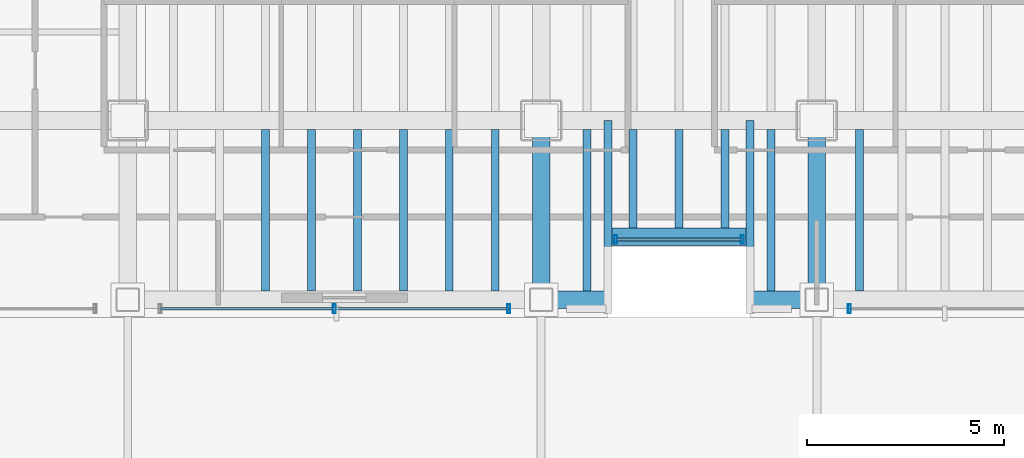
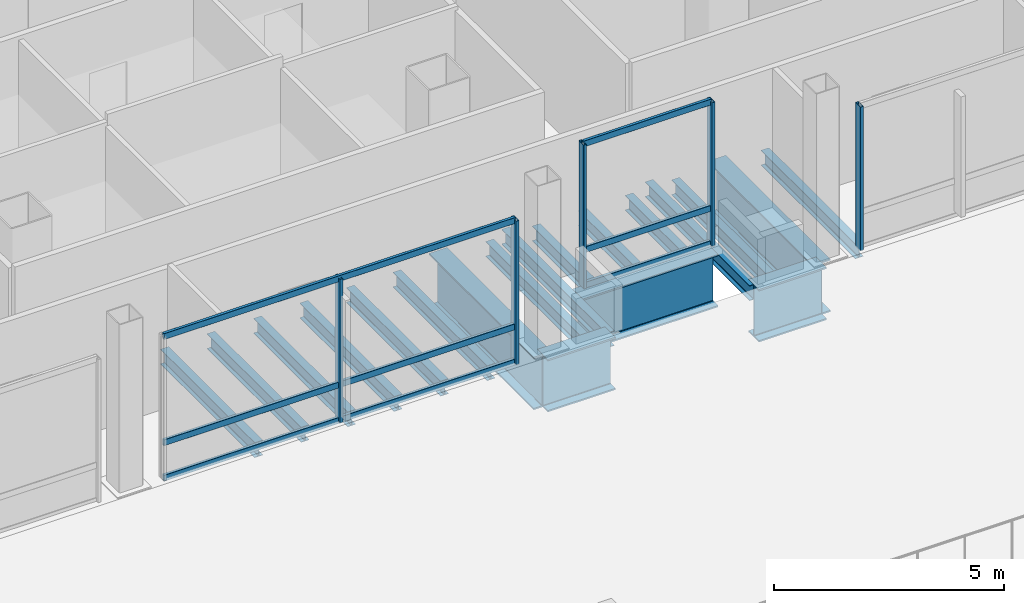
# One storey, part 7 of 34: 19 beams, 11 members, 3 elements without a shape of their own.
"""IFC4 building model written with IfcOpenShell, lengths in metres."""

from ifc_helpers import new_model, si_unit, direction, frame, origin, origin_2d, place, context, subcontext, project, spatial, hollow_rectangle, i_section, extrude, material, material_profile, profile_set, type_object, element, aggregate, save


model = new_model("IFC4")

# Units and contexts
model_context = context("Model", 3, precision=1e-05, world=origin(), true_north=direction((0.0, 1.0)))
body_context = subcontext(model_context, "Body", "Model", "MODEL_VIEW")
ifc_project = project(units=[si_unit("LENGTHUNIT", "METRE"), si_unit("AREAUNIT", "SQUARE_METRE"), si_unit("VOLUMEUNIT", "CUBIC_METRE"), si_unit("PLANEANGLEUNIT", "RADIAN"), si_unit("MASSUNIT", "GRAM", prefix="KILO")], contexts=[model_context])

# Site, building, storey
site_placement = place(None, origin())
site = spatial("IfcSite", under=ifc_project, at=site_placement, CompositionType="ELEMENT")
building_placement = place(site_placement, origin())
building = spatial("IfcBuilding", under=site, at=building_placement, Name="Noeulbin Bourse Tower", CompositionType="ELEMENT")
storey_placement = place(building_placement, frame((0.0, 0.0, 22.0)))
storey = spatial("IfcBuildingStorey", under=building, at=storey_placement, Name="L05", CompositionType="ELEMENT", Elevation=22.0)

# Beams
ifc_material_1 = material(Name="Steel S355", Category="steel")
ifc_material_profile_1 = material_profile(ifc_material_1, i_section(OverallWidth=0.199951171875, OverallDepth=0.39990234375, WebThickness=0.008056640625, FlangeThickness=0.012939453125, FilletRadius=0.01611328125, at=origin_2d()), Name="H-400x200x8x13", Category="LoadBearing")
ifc_profile_set_1 = profile_set([ifc_material_profile_1], Name="Steel S355")
beam_type_1 = type_object("IfcBeamType", Name="BM-SEC-400", PredefinedType="BEAM", material=ifc_profile_set_1)
for number, where, z_axis, x_axis, name in (
    (1, (25.699951171875, 15.449951171875, -0.43994140625), (0.0, 1.0, 0.0), (-1.0, 0.0, 0.0), "BM-L05-SRT-W"),
    (2, (29.300048828125, 15.449951171875, -0.43994140625), (0.0, 1.0, 0.0), (-1.0, 0.0, 0.0), "BM-L05-SRT-E"),
):
    element("IfcBeam", number, at=place(storey_placement, frame(where, z_axis=z_axis, x_axis=x_axis)), inside=storey, type_object=beam_type_1, Name=name, PredefinedType="BEAM", context=body_context, shape_type="SweptSolid", body=[
        extrude(i_section(OverallWidth=0.199951171875, OverallDepth=0.39990234375, WebThickness=0.008056640625, FlangeThickness=0.012939453125, FilletRadius=0.01611328125, at=origin_2d()), origin(), (0.0, 0.0, 1.0), 4.550048828125),
    ])
for number, where, z_axis, x_axis, name in (
    (3, (17.0, 15.675048828125, -0.43994140625), (0.0, 1.0, 0.0), (-1.0, 0.0, 0.0), "Tower Composite Joist L05-07"),
    (4, (18.166748046875, 15.675048828125, -0.43994140625), (0.0, 1.0, 0.0), (-1.0, 0.0, 0.0), "Tower Composite Joist L05-10"),
    (5, (19.333251953125, 15.675048828125, -0.43994140625), (0.0, 1.0, 0.0), (-1.0, 0.0, 0.0), "Tower Composite Joist L05-13"),
    (6, (20.5, 15.675048828125, -0.43994140625), (0.0, 1.0, 0.0), (-1.0, 0.0, 0.0), "Tower Composite Joist L05-16"),
    (7, (21.666748046875, 15.675048828125, -0.43994140625), (0.0, 1.0, 0.0), (-1.0, 0.0, 0.0), "Tower Composite Joist L05-19"),
    (8, (22.833251953125, 15.675048828125, -0.43994140625), (0.0, 1.0, 0.0), (-1.0, 0.0, 0.0), "Tower Composite Joist L05-22"),
    (9, (25.166748046875, 15.675048828125, -0.43994140625), (0.0, 1.0, 0.0), (-1.0, 0.0, 0.0), "Tower Composite Joist L05-25"),
):
    element("IfcBeam", number, at=place(storey_placement, frame(where, z_axis=z_axis, x_axis=x_axis)), inside=storey, type_object=beam_type_1, Name=name, PredefinedType="BEAM", context=body_context, shape_type="SweptSolid", body=[
        extrude(i_section(OverallWidth=0.199951171875, OverallDepth=0.39990234375, WebThickness=0.008056640625, FlangeThickness=0.012939453125, FilletRadius=0.01611328125, at=origin_2d()), origin(), (0.0, 0.0, 1.0), 4.099853515625),
    ])
for number, where, z_axis, x_axis, name in (
    (10, (26.333251953125, 17.27490234375, -0.43994140625), (0.0, 1.0, 0.0), (-1.0, 0.0, 0.0), "Tower Composite Joist L05-28"),
    (11, (27.5, 17.27490234375, -0.43994140625), (0.0, 1.0, 0.0), (-1.0, 0.0, 0.0), "Tower Composite Joist L05-31"),
    (12, (28.666748046875, 17.27490234375, -0.43994140625), (0.0, 1.0, 0.0), (-1.0, 0.0, 0.0), "Tower Composite Joist L05-34"),
):
    element("IfcBeam", number, at=place(storey_placement, frame(where, z_axis=z_axis, x_axis=x_axis)), inside=storey, type_object=beam_type_1, Name=name, PredefinedType="BEAM", context=body_context, shape_type="SweptSolid", body=[
        extrude(i_section(OverallWidth=0.199951171875, OverallDepth=0.39990234375, WebThickness=0.008056640625, FlangeThickness=0.012939453125, FilletRadius=0.01611328125, at=origin_2d()), origin(), (0.0, 0.0, 1.0), 2.5),
    ])
for number, where, z_axis, x_axis, name in (
    (13, (29.833251953125, 15.675048828125, -0.43994140625), (0.0, 1.0, 0.0), (-1.0, 0.0, 0.0), "Tower Composite Joist L05-37"),
    (14, (32.083251953125, 15.675048828125, -0.43994140625), (0.0, 1.0, 0.0), (-1.0, 0.0, 0.0), "Tower Composite Joist L05-40"),
):
    element("IfcBeam", number, at=place(storey_placement, frame(where, z_axis=z_axis, x_axis=x_axis)), inside=storey, type_object=beam_type_1, Name=name, PredefinedType="BEAM", context=body_context, shape_type="SweptSolid", body=[
        extrude(i_section(OverallWidth=0.199951171875, OverallDepth=0.39990234375, WebThickness=0.008056640625, FlangeThickness=0.012939453125, FilletRadius=0.01611328125, at=origin_2d()), origin(), (0.0, 0.0, 1.0), 4.099853515625),
    ])
ifc_material_2 = material(Name="Steel S460", Category="steel")
ifc_material_profile_2 = material_profile(ifc_material_2, i_section(OverallWidth=0.449951171875, OverallDepth=1.39990234375, WebThickness=0.02392578125, FlangeThickness=0.0400390625, FilletRadius=0.02392578125, at=origin_2d()), Name="PG-1400x450x24x40", Category="LoadBearing")
ifc_profile_set_2 = profile_set([ifc_material_profile_2], Name="Steel S460")
beam_type_2 = type_object("IfcBeamType", Name="BM-TRF-1400", PredefinedType="USERDEFINED", material=ifc_profile_set_2)
for number, where, z_axis, x_axis, name in (
    (15, (24.0, 15.449951171875, -0.93994140625), (0.0, 1.0, 0.0), (-1.0, 0.0, 0.0), "Tower Primary Girder NS L05-2.1"),
    (16, (31.0, 15.449951171875, -0.93994140625), (0.0, 1.0, 0.0), (-1.0, 0.0, 0.0), "Tower Primary Girder NS L05-3.1"),
):
    element("IfcBeam", number, at=place(storey_placement, frame(where, z_axis=z_axis, x_axis=x_axis)), inside=storey, type_object=beam_type_2, Name=name, ObjectType="GIRDER", PredefinedType="USERDEFINED", context=body_context, shape_type="SweptSolid", body=[
        extrude(i_section(OverallWidth=0.449951171875, OverallDepth=1.39990234375, WebThickness=0.02392578125, FlangeThickness=0.0400390625, FilletRadius=0.02392578125, at=origin_2d()), origin(), (0.0, 0.0, 1.0), 4.550048828125),
    ])
beam_placement = place(storey_placement, frame((25.800048828125, 17.050048828125, -0.93994140625), z_axis=(1.0, 0.0, 0.0), x_axis=(0.0, 1.0, 0.0)))
element("IfcBeam", 17, at=beam_placement, inside=storey, type_object=beam_type_2, Name="South Recess Spandrel L05-2B", ObjectType="GIRDER", PredefinedType="USERDEFINED", context=body_context, shape_type="SweptSolid", body=[
    extrude(i_section(OverallWidth=0.449951171875, OverallDepth=1.39990234375, WebThickness=0.02392578125, FlangeThickness=0.0400390625, FilletRadius=0.02392578125, at=origin_2d()), origin(), (0.0, 0.0, 1.0), 3.39990234375),
])
for number, where, z_axis, x_axis, name in (
    (18, (24.0, 15.449951171875, -0.93994140625), (1.0, 0.0, 0.0), (0.0, 1.0, 0.0), "South Spandrel L05-2A"),
    (19, (29.300048828125, 15.449951171875, -0.93994140625), (1.0, 0.0, 0.0), (0.0, 1.0, 0.0), "South Spandrel L05-2C"),
):
    element("IfcBeam", number, at=place(storey_placement, frame(where, z_axis=z_axis, x_axis=x_axis)), inside=storey, type_object=beam_type_2, Name=name, ObjectType="GIRDER", PredefinedType="USERDEFINED", context=body_context, shape_type="SweptSolid", body=[
        extrude(i_section(OverallWidth=0.449951171875, OverallDepth=1.39990234375, WebThickness=0.02392578125, FlangeThickness=0.0400390625, FilletRadius=0.02392578125, at=origin_2d()), origin(), (0.0, 0.0, 1.0), 1.699951171875),
    ])

# Curtain wall, members
ifc_material_3 = material(Name="Dark Solar-Control Double Glazing", Category="glass")
curtain_wall_type = type_object("IfcCurtainWallType", Name="CW-SYS-2", PredefinedType="NOTDEFINED", material=ifc_material_3)
curtain_wall_1_placement = place(storey_placement, origin())
curtain_wall_1 = element("IfcCurtainWall", 20, at=curtain_wall_1_placement, inside=storey, type_object=curtain_wall_type, Name="Unitised Curtain Wall CW-L05-SREC", PredefinedType="NOTDEFINED")
ifc_material_4 = material(Name="Anodised Aluminium 6063-T6", Category="aluminium")
ifc_material_profile_3 = material_profile(ifc_material_4, hollow_rectangle(XDim=0.074951171875, YDim=0.219970703125, WallThickness=0.0048828125, InnerFilletRadius=0.00244140625, OuterFilletRadius=0.0048828125, at=origin_2d()), Name="ALU-MULL-75x220x5", Category="LoadBearing")
ifc_profile_set_3 = profile_set([ifc_material_profile_3], Name="Anodised Aluminium 6063-T6")
member_type_1 = type_object("IfcMemberType", Name="CW-SYS-2-MUL", PredefinedType="MULLION", material=ifc_profile_set_3)
member_1_placement = place(storey_placement, frame((25.889892578125, 16.97998046875, -0.02001953125), z_axis=(0.0, 0.0, 1.0), x_axis=(1.0, 0.0, 0.0)))
member_1 = element("IfcMember", 21, at=member_1_placement, type_object=member_type_1, Name="Curtain Wall Mullion CW-L05-SREC-M00", PredefinedType="MULLION", context=body_context, shape_type="SweptSolid", body=[
    extrude(hollow_rectangle(XDim=0.074951171875, YDim=0.219970703125, WallThickness=0.0048828125, InnerFilletRadius=0.00244140625, OuterFilletRadius=0.0048828125, at=origin_2d()), origin(), (0.0, 0.0, 1.0), 3.820068359375),
])
member_2_placement = place(storey_placement, frame((29.110107421875, 16.97998046875, -0.02001953125), z_axis=(0.0, 0.0, 1.0), x_axis=(1.0, 0.0, 0.0)))
member_2 = element("IfcMember", 22, at=member_2_placement, type_object=member_type_1, Name="Curtain Wall Mullion CW-L05-SREC-M01", PredefinedType="MULLION", context=body_context, shape_type="SweptSolid", body=[
    extrude(hollow_rectangle(XDim=0.074951171875, YDim=0.219970703125, WallThickness=0.0048828125, InnerFilletRadius=0.00244140625, OuterFilletRadius=0.0048828125, at=origin_2d()), origin(), (0.0, 0.0, 1.0), 3.820068359375),
])

curtain_wall_2_placement = place(storey_placement, origin())
curtain_wall_2 = element("IfcCurtainWall", 23, at=curtain_wall_2_placement, inside=storey, type_object=curtain_wall_type, Name="Unitised Curtain Wall CW-L05-S1-S2", PredefinedType="NOTDEFINED")
member_3_placement = place(storey_placement, frame((18.75, 15.219970703125, -0.02001953125), z_axis=(0.0, 0.0, 1.0), x_axis=(1.0, 0.0, 0.0)))
member_3 = element("IfcMember", 24, at=member_3_placement, type_object=member_type_1, Name="Curtain Wall Mullion CW-L05-S1-S2-M01", PredefinedType="MULLION", context=body_context, shape_type="SweptSolid", body=[
    extrude(hollow_rectangle(XDim=0.074951171875, YDim=0.219970703125, WallThickness=0.0048828125, InnerFilletRadius=0.00244140625, OuterFilletRadius=0.0048828125, at=origin_2d()), origin(), (0.0, 0.0, 1.0), 3.820068359375),
])
member_4_placement = place(storey_placement, frame((23.175048828125, 15.219970703125, -0.02001953125), z_axis=(0.0, 0.0, 1.0), x_axis=(1.0, 0.0, 0.0)))
member_4 = element("IfcMember", 25, at=member_4_placement, type_object=member_type_1, Name="Curtain Wall Mullion CW-L05-S1-S2-M02", PredefinedType="MULLION", context=body_context, shape_type="SweptSolid", body=[
    extrude(hollow_rectangle(XDim=0.074951171875, YDim=0.219970703125, WallThickness=0.0048828125, InnerFilletRadius=0.00244140625, OuterFilletRadius=0.0048828125, at=origin_2d()), origin(), (0.0, 0.0, 1.0), 3.820068359375),
])

# Curtain wall, member
curtain_wall_3_placement = place(storey_placement, origin())
curtain_wall_3 = element("IfcCurtainWall", 26, at=curtain_wall_3_placement, inside=storey, type_object=curtain_wall_type, Name="Unitised Curtain Wall CW-L05-S2-S1", PredefinedType="NOTDEFINED")
member_5_placement = place(storey_placement, frame((31.824951171875, 15.219970703125, -0.02001953125), z_axis=(0.0, 0.0, 1.0), x_axis=(1.0, 0.0, 0.0)))
member_5 = element("IfcMember", 27, at=member_5_placement, type_object=member_type_1, Name="Curtain Wall Mullion CW-L05-S2-S1-M00", PredefinedType="MULLION", context=body_context, shape_type="SweptSolid", body=[
    extrude(hollow_rectangle(XDim=0.074951171875, YDim=0.219970703125, WallThickness=0.0048828125, InnerFilletRadius=0.00244140625, OuterFilletRadius=0.0048828125, at=origin_2d()), origin(), (0.0, 0.0, 1.0), 3.820068359375),
])
aggregate(curtain_wall_3, [member_5])

# Member
ifc_material_profile_4 = material_profile(ifc_material_4, hollow_rectangle(XDim=0.074951171875, YDim=0.159912109375, WallThickness=0.0048828125, InnerFilletRadius=0.00244140625, OuterFilletRadius=0.0048828125, at=origin_2d()), Name="ALU-TRAN-75x160x5", Category="LoadBearing")
ifc_profile_set_4 = profile_set([ifc_material_profile_4], Name="Anodised Aluminium 6063-T6")
member_type_2 = type_object("IfcMemberType", Name="CW-SYS-2-TRN", PredefinedType="USERDEFINED", material=ifc_profile_set_4)
member_6_placement = place(storey_placement, frame((25.89990234375, 16.97998046875, 0.010009765625), z_axis=(1.0, 0.0, 0.0), x_axis=(0.0, 1.0, 0.0)))
member_6 = element("IfcMember", 28, at=member_6_placement, type_object=member_type_2, Name="Curtain Wall Transom CW-L05-SREC-T00", ObjectType="TRANSOM", PredefinedType="USERDEFINED", context=body_context, shape_type="SweptSolid", body=[
    extrude(hollow_rectangle(XDim=0.074951171875, YDim=0.159912109375, WallThickness=0.0048828125, InnerFilletRadius=0.00244140625, OuterFilletRadius=0.0048828125, at=origin_2d()), origin(), (0.0, 0.0, 1.0), 3.2001953125),
])

member_7_placement = place(storey_placement, frame((25.89990234375, 16.97998046875, 0.949951171875), z_axis=(1.0, 0.0, 0.0), x_axis=(0.0, 1.0, 0.0)))
member_7 = element("IfcMember", 29, at=member_7_placement, type_object=member_type_2, Name="Curtain Wall Transom CW-L05-SREC-T01", ObjectType="TRANSOM", PredefinedType="USERDEFINED", context=body_context, shape_type="SweptSolid", body=[
    extrude(hollow_rectangle(XDim=0.074951171875, YDim=0.159912109375, WallThickness=0.0048828125, InnerFilletRadius=0.00244140625, OuterFilletRadius=0.0048828125, at=origin_2d()), origin(), (0.0, 0.0, 1.0), 3.2001953125),
])

member_8_placement = place(storey_placement, frame((25.89990234375, 16.97998046875, 3.77001953125), z_axis=(1.0, 0.0, 0.0), x_axis=(0.0, 1.0, 0.0)))
member_8 = element("IfcMember", 30, at=member_8_placement, type_object=member_type_2, Name="Curtain Wall Transom CW-L05-SREC-T02", ObjectType="TRANSOM", PredefinedType="USERDEFINED", context=body_context, shape_type="SweptSolid", body=[
    extrude(hollow_rectangle(XDim=0.074951171875, YDim=0.159912109375, WallThickness=0.0048828125, InnerFilletRadius=0.00244140625, OuterFilletRadius=0.0048828125, at=origin_2d()), origin(), (0.0, 0.0, 1.0), 3.2001953125),
])

aggregate(curtain_wall_1, [member_1, member_2, member_6, member_7, member_8])

member_9_placement = place(storey_placement, frame((14.3349609375, 15.219970703125, 0.010009765625), z_axis=(1.0, 0.0, 0.0), x_axis=(0.0, 1.0, 0.0)))
member_9 = element("IfcMember", 31, at=member_9_placement, type_object=member_type_2, Name="Curtain Wall Transom CW-L05-S1-S2-T00", ObjectType="TRANSOM", PredefinedType="USERDEFINED", context=body_context, shape_type="SweptSolid", body=[
    extrude(hollow_rectangle(XDim=0.074951171875, YDim=0.159912109375, WallThickness=0.0048828125, InnerFilletRadius=0.00244140625, OuterFilletRadius=0.0048828125, at=origin_2d()), origin(), (0.0, 0.0, 1.0), 8.830078125),
])

member_10_placement = place(storey_placement, frame((14.3349609375, 15.219970703125, 0.949951171875), z_axis=(1.0, 0.0, 0.0), x_axis=(0.0, 1.0, 0.0)))
member_10 = element("IfcMember", 32, at=member_10_placement, type_object=member_type_2, Name="Curtain Wall Transom CW-L05-S1-S2-T01", ObjectType="TRANSOM", PredefinedType="USERDEFINED", context=body_context, shape_type="SweptSolid", body=[
    extrude(hollow_rectangle(XDim=0.074951171875, YDim=0.159912109375, WallThickness=0.0048828125, InnerFilletRadius=0.00244140625, OuterFilletRadius=0.0048828125, at=origin_2d()), origin(), (0.0, 0.0, 1.0), 8.830078125),
])

member_11_placement = place(storey_placement, frame((14.3349609375, 15.219970703125, 3.77001953125), z_axis=(1.0, 0.0, 0.0), x_axis=(0.0, 1.0, 0.0)))
member_11 = element("IfcMember", 33, at=member_11_placement, type_object=member_type_2, Name="Curtain Wall Transom CW-L05-S1-S2-T02", ObjectType="TRANSOM", PredefinedType="USERDEFINED", context=body_context, shape_type="SweptSolid", body=[
    extrude(hollow_rectangle(XDim=0.074951171875, YDim=0.159912109375, WallThickness=0.0048828125, InnerFilletRadius=0.00244140625, OuterFilletRadius=0.0048828125, at=origin_2d()), origin(), (0.0, 0.0, 1.0), 8.830078125),
])

aggregate(curtain_wall_2, [member_3, member_4, member_9, member_10, member_11])

save(model, "model.ifc")
